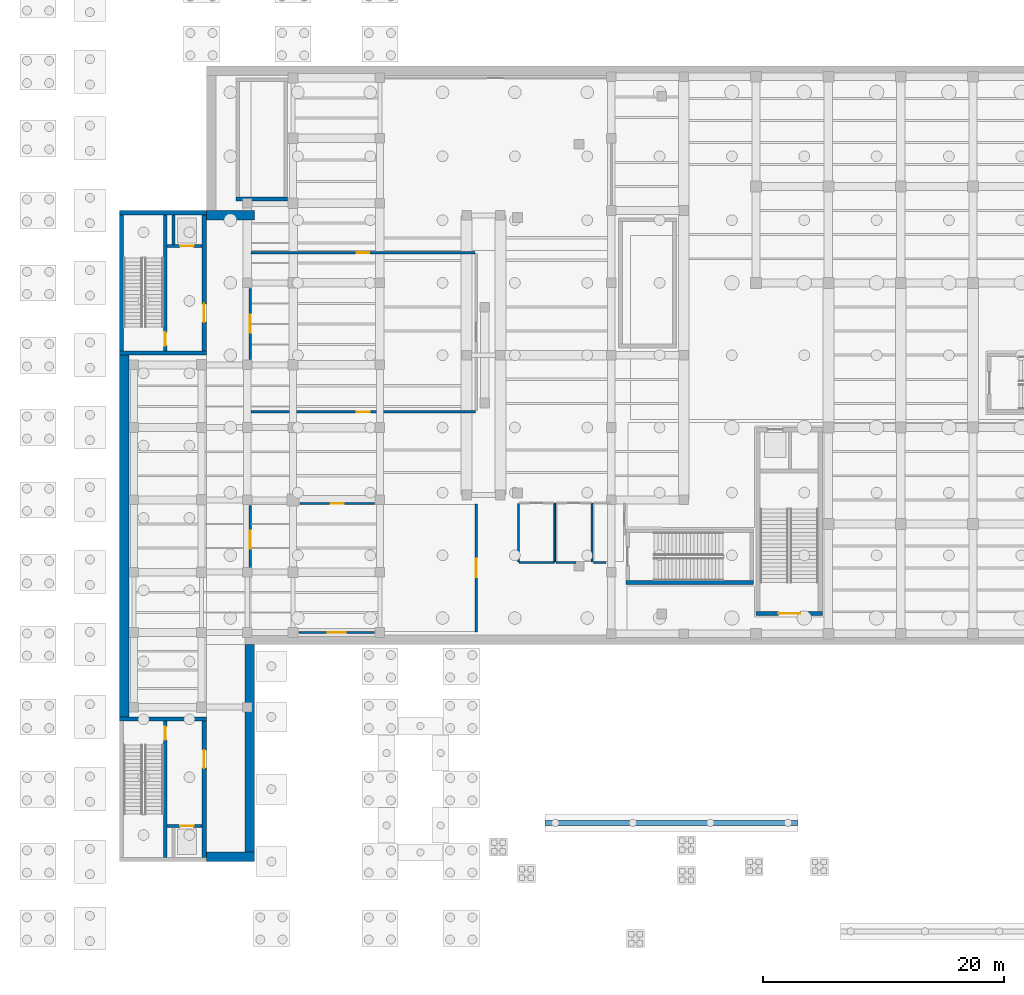
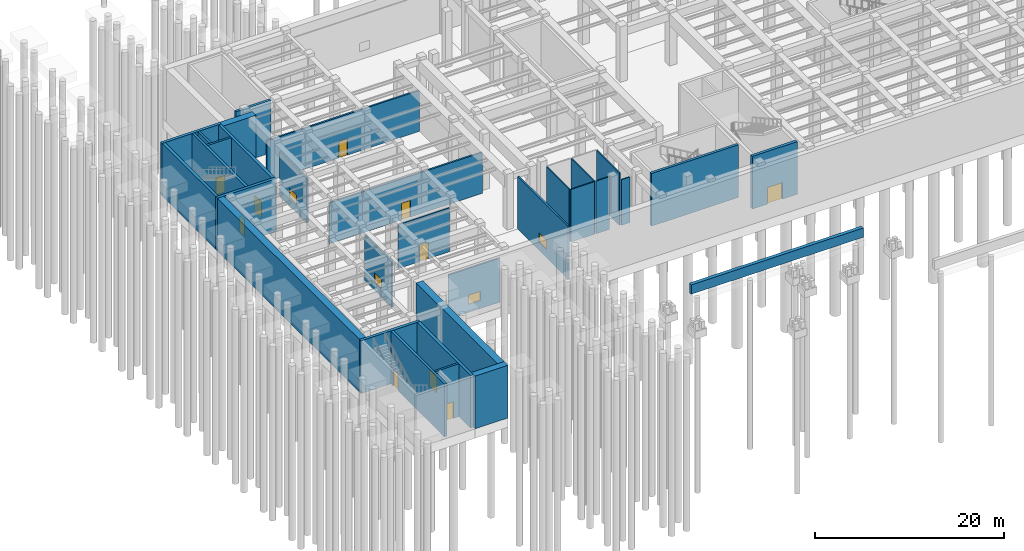
# One storey, part 13 of 30: 32 walls, 10 doors, 4 windows, 14 openings.
"""IFC4 building model written with IfcOpenShell, lengths in metres."""

from ifc_helpers import new_model, si_unit, direction, frame, frame_2d, origin, place, context, subcontext, project, spatial, rectangle, extrude, material, layer, layer_set, type_object, element, fill, save


model = new_model("IFC4")

# Units and contexts
model_context = context("Model", 3, precision=1e-05, world=origin(), true_north=direction((0.0, 1.0)))
body_context = subcontext(model_context, "Body", "Model", "MODEL_VIEW")
ifc_project = project(units=[si_unit("LENGTHUNIT", "METRE"), si_unit("AREAUNIT", "SQUARE_METRE"), si_unit("VOLUMEUNIT", "CUBIC_METRE"), si_unit("PLANEANGLEUNIT", "RADIAN"), si_unit("MASSUNIT", "GRAM", prefix="KILO")], contexts=[model_context])

# Site, building, storey
site_placement = place(None, origin())
site = spatial("IfcSite", under=ifc_project, at=site_placement, CompositionType="ELEMENT")
building_placement = place(site_placement, origin())
building = spatial("IfcBuilding", under=site, at=building_placement, Name="Kolvaren Corner Interchange", CompositionType="ELEMENT")
storey_placement = place(building_placement, frame((0.0, 0.0, -7.199951171875)))
storey = spatial("IfcBuildingStorey", under=building, at=storey_placement, Name="B1", CompositionType="ELEMENT", Elevation=-7.199951171875)

# Wall
ifc_material_1 = material(Name="Concrete C35/45", Category="concrete")
ifc_layer_1 = layer(ifc_material_1, 0.35009765625)
ifc_layer_set_1 = layer_set([ifc_layer_1], Name="Concrete C35/45")
wall_type_1 = type_object("IfcWallType", Name="WL-CORE-350", PredefinedType="SHEAR", material=ifc_layer_set_1)
wall_1_placement = place(storey_placement, frame((7.199951171875, 17.824951171875, 0.0), z_axis=(0.0, 0.0, 1.0), x_axis=(1.0, 0.0, 0.0)))
element("IfcWall", 1, at=wall_1_placement, inside=storey, type_object=wall_type_1, Name="Core C1 B1 North Shear Wall", PredefinedType="SHEAR", context=body_context, shape_type="SweptSolid", body=[
    extrude(rectangle(XDim=7.199951171875, YDim=0.35009765625, at=frame_2d((3.60009765625, 0.0))), origin(), (0.0, 0.0, 1.0), 6.800048828125),
])

# Wall, opening, door
wall_2_placement = place(storey_placement, frame((14.22509765625, 6.35009765625, 0.0), z_axis=(0.0, 0.0, 1.0), x_axis=(0.0, 1.0, 0.0)))
wall_2 = element("IfcWall", 2, at=wall_2_placement, inside=storey, type_object=wall_type_1, Name="Core C1 B1 East Shear Wall", PredefinedType="SHEAR", context=body_context, shape_type="SweptSolid", body=[
    extrude(rectangle(XDim=11.2998046875, YDim=0.35009765625, at=frame_2d((5.64990234375, 0.0))), origin(), (0.0, 0.0, 1.0), 6.800048828125),
])
opening_1_placement = place(wall_2_placement, frame((7.39990234375, 0.0, 0.0)))
opening_1 = element("IfcOpeningElement", 3, at=opening_1_placement, cuts=wall_2, Name="Opening D-F02", PredefinedType="OPENING", context=body_context, shape_type="SweptSolid", body=[
    extrude(rectangle(XDim=1.5, YDim=2.14990234375, at=frame_2d((0.75, 1.074951171875))), frame((0.0, 0.18505859375, 0.0), z_axis=(0.0, -1.0, 0.0), x_axis=(1.0, 0.0, 0.0)), (0.0, 0.0, 1.0), 0.3701171875),
])
ifc_material_2 = material(Name="Powder-coated Fire-rated Steel Sheet", Category="steel")
door_type_1 = type_object("IfcDoorType", Name="DT-FD-1500x2150", OperationType="NOTDEFINED", PredefinedType="DOOR", material=ifc_material_2)
door_1_placement = place(opening_1_placement, origin())
door_1 = element("IfcDoor", 4, at=door_1_placement, inside=storey, type_object=door_type_1, Name="Core C1 B1 Firefighting Lobby Corridor Exit Door", OperationType="DOUBLE_DOOR_SINGLE_SWING", OverallHeight=2.14990234375, OverallWidth=1.5, PredefinedType="DOOR", context=body_context, shape_type="SweptSolid", body=[
    extrude(rectangle(XDim=1.5, YDim=2.14990234375, at=frame_2d((0.75, 1.074951171875))), frame((0.0, 0.02490234375, 0.0), z_axis=(0.0, -1.0, 0.0), x_axis=(1.0, 0.0, 0.0)), (0.0, 0.0, 1.0), 0.050048828125),
])
fill(opening_1, door_1)

# Walls
for number, where, z_axis, x_axis, name in (
    (5, (7.199951171875, 48.175048828125, 0.0), (0.0, 0.0, 1.0), (1.0, 0.0, 0.0), "Core C2 B1 South Shear Wall"),
    (6, (7.199951171875, 59.824951171875, 0.0), (0.0, 0.0, 1.0), (1.0, 0.0, 0.0), "Core C2 B1 North Shear Wall"),
):
    element("IfcWall", number, at=place(storey_placement, frame(where, z_axis=z_axis, x_axis=x_axis)), inside=storey, type_object=wall_type_1, Name=name, PredefinedType="SHEAR", context=body_context, shape_type="SweptSolid", body=[
        extrude(rectangle(XDim=7.199951171875, YDim=0.35009765625, at=frame_2d((3.60009765625, 0.0))), origin(), (0.0, 0.0, 1.0), 6.800048828125),
    ])
wall_3_placement = place(storey_placement, frame((7.375, 48.35009765625, 0.0), z_axis=(0.0, 0.0, 1.0), x_axis=(0.0, 1.0, 0.0)))
element("IfcWall", 7, at=wall_3_placement, inside=storey, type_object=wall_type_1, Name="Core C2 B1 West Shear Wall", PredefinedType="SHEAR", context=body_context, shape_type="SweptSolid", body=[
    extrude(rectangle(XDim=11.2998046875, YDim=0.35009765625, at=frame_2d((5.64990234375, 0.0))), origin(), (0.0, 0.0, 1.0), 6.800048828125),
])

# Wall, opening, door
wall_4_placement = place(storey_placement, frame((14.22509765625, 48.35009765625, 0.0), z_axis=(0.0, 0.0, 1.0), x_axis=(0.0, 1.0, 0.0)))
wall_4 = element("IfcWall", 8, at=wall_4_placement, inside=storey, type_object=wall_type_1, Name="Core C2 B1 East Shear Wall", PredefinedType="SHEAR", context=body_context, shape_type="SweptSolid", body=[
    extrude(rectangle(XDim=11.2998046875, YDim=0.35009765625, at=frame_2d((5.64990234375, 0.0))), origin(), (0.0, 0.0, 1.0), 6.800048828125),
])
opening_2_placement = place(wall_4_placement, frame((2.39990234375, 0.0, 0.0)))
opening_2 = element("IfcOpeningElement", 9, at=opening_2_placement, cuts=wall_4, Name="Opening D-F02", PredefinedType="OPENING", context=body_context, shape_type="SweptSolid", body=[
    extrude(rectangle(XDim=1.5, YDim=2.14990234375, at=frame_2d((0.75, 1.074951171875))), frame((0.0, 0.18505859375, 0.0), z_axis=(0.0, -1.0, 0.0), x_axis=(1.0, 0.0, 0.0)), (0.0, 0.0, 1.0), 0.3701171875),
])
door_2_placement = place(opening_2_placement, origin())
door_2 = element("IfcDoor", 10, at=door_2_placement, inside=storey, type_object=door_type_1, Name="Core C2 B1 Firefighting Lobby Corridor Exit Door", OperationType="DOUBLE_DOOR_SINGLE_SWING", OverallHeight=2.14990234375, OverallWidth=1.5, PredefinedType="DOOR", context=body_context, shape_type="SweptSolid", body=[
    extrude(rectangle(XDim=1.5, YDim=2.14990234375, at=frame_2d((0.75, 1.074951171875))), frame((0.0, 0.02490234375, 0.0), z_axis=(0.0, -1.0, 0.0), x_axis=(1.0, 0.0, 0.0)), (0.0, 0.0, 1.0), 0.050048828125),
])
fill(opening_2, door_2)

wall_5_placement = place(storey_placement, frame((60.0, 26.574951171875, 0.0), z_axis=(0.0, 0.0, 1.0), x_axis=(1.0, 0.0, 0.0)))
wall_5 = element("IfcWall", 11, at=wall_5_placement, inside=storey, type_object=wall_type_1, Name="Core C3 B1 South Shear Wall", PredefinedType="SHEAR", context=body_context, shape_type="SweptSolid", body=[
    extrude(rectangle(XDim=5.5, YDim=0.35009765625, at=frame_2d((2.75, 0.0))), origin(), (0.0, 0.0, 1.0), 6.800048828125),
])
opening_3_placement = place(wall_5_placement, frame((1.85009765625, 0.0, 0.0)))
opening_3 = element("IfcOpeningElement", 12, at=opening_3_placement, cuts=wall_5, Name="Opening D-F01", PredefinedType="OPENING", context=body_context, shape_type="SweptSolid", body=[
    extrude(rectangle(XDim=1.800048828125, YDim=2.14990234375, at=frame_2d((0.89990234375, 1.074951171875))), frame((0.0, 0.18505859375, 0.0), z_axis=(0.0, -1.0, 0.0), x_axis=(1.0, 0.0, 0.0)), (0.0, 0.0, 1.0), 0.3701171875),
])
ifc_material_3 = material(Name="Powder-coated Fire-rated Steel Sheet", Category="steel")
door_type_2 = type_object("IfcDoorType", Name="DT-FD-1800x2150", OperationType="NOTDEFINED", PredefinedType="DOOR", material=ifc_material_3)
door_3_placement = place(opening_3_placement, origin())
door_3 = element("IfcDoor", 13, at=door_3_placement, inside=storey, type_object=door_type_2, Name="Core C3 West Concourse Transfer Stair B1 Protected Exit Door", OperationType="DOUBLE_DOOR_SINGLE_SWING", OverallHeight=2.14990234375, OverallWidth=1.800048828125, PredefinedType="DOOR", context=body_context, shape_type="SweptSolid", body=[
    extrude(rectangle(XDim=1.800048828125, YDim=2.14990234375, at=frame_2d((0.89990234375, 1.074951171875))), frame((0.0, 0.02490234375, 0.0), z_axis=(0.0, -1.0, 0.0), x_axis=(1.0, 0.0, 0.0)), (0.0, 0.0, 1.0), 0.050048828125),
])
fill(opening_3, door_3)

# Walls
ifc_material_4 = material(Name="Concrete C40/50", Category="concrete")
ifc_layer_2 = layer(ifc_material_4, 0.800048828125)
ifc_layer_set_2 = layer_set([ifc_layer_2], Name="Concrete C40/50")
wall_type_2 = type_object("IfcWallType", Name="WL-METRO-800", PredefinedType="SHEAR", material=ifc_layer_set_2)
wall_6_placement = place(storey_placement, frame((7.60009765625, 18.0, 0.0), z_axis=(0.0, 0.0, 1.0), x_axis=(0.0, 1.0, 0.0)))
element("IfcWall", 14, at=wall_6_placement, inside=storey, type_object=wall_type_2, Name="West Transfer Gallery Retaining Wall", PredefinedType="SHEAR", context=body_context, shape_type="SweptSolid", body=[
    extrude(rectangle(XDim=30.0, YDim=0.800048828125, at=frame_2d((15.0, 0.0))), origin(), (0.0, 0.0, 1.0), 6.800048828125),
])
wall_7_placement = place(storey_placement, frame((14.39990234375, 6.39990234375, 0.0), z_axis=(0.0, 0.0, 1.0), x_axis=(1.0, 0.0, 0.0)))
element("IfcWall", 15, at=wall_7_placement, inside=storey, type_object=wall_type_2, Name="West Transfer Gallery South Wall", PredefinedType="SHEAR", context=body_context, shape_type="SweptSolid", body=[
    extrude(rectangle(XDim=4.0, YDim=0.800048828125, at=frame_2d((2.0, 0.0))), origin(), (0.0, 0.0, 1.0), 6.800048828125),
])
wall_8_placement = place(storey_placement, frame((18.0, 6.800048828125, 0.0), z_axis=(0.0, 0.0, 1.0), x_axis=(0.0, 1.0, 0.0)))
element("IfcWall", 16, at=wall_8_placement, inside=storey, type_object=wall_type_2, Name="West Transfer Gallery East Wall", PredefinedType="SHEAR", context=body_context, shape_type="SweptSolid", body=[
    extrude(rectangle(XDim=17.199951171875, YDim=0.800048828125, at=frame_2d((8.60009765625, 0.0))), origin(), (0.0, 0.0, 1.0), 6.800048828125),
])
wall_9_placement = place(storey_placement, frame((14.39990234375, 59.60009765625, 0.0), z_axis=(0.0, 0.0, 1.0), x_axis=(1.0, 0.0, 0.0)))
element("IfcWall", 17, at=wall_9_placement, inside=storey, type_object=wall_type_2, Name="West Transfer Gallery North Wall", PredefinedType="SHEAR", context=body_context, shape_type="SweptSolid", body=[
    extrude(rectangle(XDim=4.0, YDim=0.800048828125, at=frame_2d((2.0, 0.0))), origin(), (0.0, 0.0, 1.0), 6.800048828125),
])
ifc_material_5 = material(Name="Concrete C40/50", Category="concrete")
ifc_layer_3 = layer(ifc_material_5, 0.419921875)
ifc_layer_set_3 = layer_set([ifc_layer_3], Name="Concrete C40/50")
wall_type_3 = type_object("IfcWallType", Name="WL-RET-400", PredefinedType="USERDEFINED", material=ifc_layer_set_3)
wall_10_placement = place(storey_placement, frame((42.5, 9.2099609375, 5.699951171875), z_axis=(0.0, 0.0, 1.0), x_axis=(1.0, 0.0, 0.0)))
element("IfcWall", 18, at=wall_10_placement, inside=storey, type_object=wall_type_3, Name="Southwest Forecourt Ramp Plinth Retaining Wall", ObjectType="RETAINING WALL", PredefinedType="USERDEFINED", context=body_context, shape_type="SweptSolid", body=[
    extrude(rectangle(XDim=21.0, YDim=0.419921875, at=frame_2d((10.5, 0.0))), origin(), (0.0, 0.0, 1.0), 1.2099609375),
])

# Wall, opening, door
ifc_material_6 = material(Name="Concrete C35/45", Category="concrete")
ifc_layer_4 = layer(ifc_material_6, 0.31005859375)
ifc_layer_set_4 = layer_set([ifc_layer_4], Name="Concrete C35/45")
wall_type_4 = type_object("IfcWallType", Name="WL-STAIR-300", PredefinedType="SHEAR", material=ifc_layer_set_4)
wall_11_placement = place(storey_placement, frame((11.0, 6.35009765625, 0.0), z_axis=(0.0, 0.0, 1.0), x_axis=(0.0, 1.0, 0.0)))
wall_11 = element("IfcWall", 19, at=wall_11_placement, inside=storey, type_object=wall_type_4, Name="Core C1 B1 Firefighting Stairwell Divider Wall", PredefinedType="SHEAR", context=body_context, shape_type="SweptSolid", body=[
    extrude(rectangle(XDim=11.2998046875, YDim=0.31005859375, at=frame_2d((5.64990234375, 0.0))), origin(), (0.0, 0.0, 1.0), 6.800048828125),
])
opening_4_placement = place(wall_11_placement, frame((9.75, 0.0, 0.0)))
opening_4 = element("IfcOpeningElement", 20, at=opening_4_placement, cuts=wall_11, Name="Opening D-F03", PredefinedType="OPENING", context=body_context, shape_type="SweptSolid", body=[
    extrude(rectangle(XDim=1.10009765625, YDim=2.14990234375, at=frame_2d((0.550048828125, 1.074951171875))), frame((0.0, 0.1650390625, 0.0), z_axis=(0.0, -1.0, 0.0), x_axis=(1.0, 0.0, 0.0)), (0.0, 0.0, 1.0), 0.330078125),
])
ifc_material_7 = material(Name="Powder-coated Fire-rated Steel Sheet", Category="steel")
door_type_3 = type_object("IfcDoorType", Name="DT-FD-1100x2150", OperationType="NOTDEFINED", PredefinedType="DOOR", material=ifc_material_7)
door_4_placement = place(opening_4_placement, origin())
door_4 = element("IfcDoor", 21, at=door_4_placement, inside=storey, type_object=door_type_3, Name="Core C1 Southwest Firefighting Stair B1 Protected Exit Door", OperationType="SINGLE_SWING_RIGHT", OverallHeight=2.14990234375, OverallWidth=1.10009765625, PredefinedType="DOOR", context=body_context, shape_type="SweptSolid", body=[
    extrude(rectangle(XDim=1.10009765625, YDim=2.14990234375, at=frame_2d((0.550048828125, 1.074951171875))), frame((0.0, 0.02490234375, 0.0), z_axis=(0.0, -1.0, 0.0), x_axis=(1.0, 0.0, 0.0)), (0.0, 0.0, 1.0), 0.050048828125),
])
fill(opening_4, door_4)

wall_12_placement = place(storey_placement, frame((11.0, 48.35009765625, 0.0), z_axis=(0.0, 0.0, 1.0), x_axis=(0.0, 1.0, 0.0)))
wall_12 = element("IfcWall", 22, at=wall_12_placement, inside=storey, type_object=wall_type_4, Name="Core C2 B1 Firefighting Stairwell Divider Wall", PredefinedType="SHEAR", context=body_context, shape_type="SweptSolid", body=[
    extrude(rectangle(XDim=11.2998046875, YDim=0.31005859375, at=frame_2d((5.64990234375, 0.0))), origin(), (0.0, 0.0, 1.0), 6.800048828125),
])
opening_5_placement = place(wall_12_placement, frame((0.449951171875, 0.0, 0.0)))
opening_5 = element("IfcOpeningElement", 23, at=opening_5_placement, cuts=wall_12, Name="Opening D-F03", PredefinedType="OPENING", context=body_context, shape_type="SweptSolid", body=[
    extrude(rectangle(XDim=1.10009765625, YDim=2.14990234375, at=frame_2d((0.550048828125, 1.074951171875))), frame((0.0, 0.1650390625, 0.0), z_axis=(0.0, -1.0, 0.0), x_axis=(1.0, 0.0, 0.0)), (0.0, 0.0, 1.0), 0.330078125),
])
door_5_placement = place(opening_5_placement, origin())
door_5 = element("IfcDoor", 24, at=door_5_placement, inside=storey, type_object=door_type_3, Name="Core C2 Northwest Firefighting Stair B1 Protected Exit Door", OperationType="SINGLE_SWING_RIGHT", OverallHeight=2.14990234375, OverallWidth=1.10009765625, PredefinedType="DOOR", context=body_context, shape_type="SweptSolid", body=[
    extrude(rectangle(XDim=1.10009765625, YDim=2.14990234375, at=frame_2d((0.550048828125, 1.074951171875))), frame((0.0, 0.02490234375, 0.0), z_axis=(0.0, -1.0, 0.0), x_axis=(1.0, 0.0, 0.0)), (0.0, 0.0, 1.0), 0.050048828125),
])
fill(opening_5, door_5)

# Walls
wall_13_placement = place(storey_placement, frame((49.199951171875, 29.155029296875, 0.0), z_axis=(0.0, 0.0, 1.0), x_axis=(1.0, 0.0, 0.0)))
element("IfcWall", 25, at=wall_13_placement, inside=storey, type_object=wall_type_4, Name="Metro West Plant and Gateline Exit Stair B1 South Enclosure Wall", PredefinedType="SHEAR", context=body_context, shape_type="SweptSolid", body=[
    extrude(rectangle(XDim=10.60009765625, YDim=0.31005859375, at=frame_2d((5.300048828125, 0.0))), origin(), (0.0, 0.0, 1.0), 6.800048828125),
])
wall_14_placement = place(storey_placement, frame((16.85009765625, 60.955078125, 0.0), z_axis=(0.0, 0.0, 1.0), x_axis=(1.0, 0.0, 0.0)))
element("IfcWall", 26, at=wall_14_placement, inside=storey, type_object=wall_type_4, Name="Operations North Wing Protected Exit Stair B1 Foundation Shaft South Wall", PredefinedType="SHEAR", context=body_context, shape_type="SweptSolid", body=[
    extrude(rectangle(XDim=4.2998046875, YDim=0.31005859375, at=frame_2d((2.14990234375, 0.0))), origin(), (0.0, 0.0, 1.0), 6.800048828125),
])

# Wall, opening, window
ifc_material_8 = material(Name="Fire-Rated Gypsum Block Partition")
ifc_layer_5 = layer(ifc_material_8, 0.199951171875)
ifc_layer_set_5 = layer_set([ifc_layer_5], Name="Fire-Rated Gypsum Block Partition")
wall_type_5 = type_object("IfcWallType", Name="WT-PART-FR200", PredefinedType="PARTITIONING", material=ifc_layer_set_5)
wall_15_placement = place(storey_placement, frame((22.0849609375, 25.0, 0.0), z_axis=(0.0, 0.0, 1.0), x_axis=(1.0, 0.0, 0.0)))
wall_15 = element("IfcWall", 27, at=wall_15_placement, inside=storey, type_object=wall_type_5, Name="B1 Traction Substation Partition Wall 001", PredefinedType="PARTITIONING", context=body_context, shape_type="SweptSolid", body=[
    extrude(rectangle(XDim=6.277587890625, YDim=0.199951171875, at=frame_2d((3.138671875, 0.0))), origin(), (0.0, 0.0, 1.0), 5.68505859375),
])
opening_6_placement = place(wall_15_placement, frame((2.388671875, 0.0, 1.050048828125)))
opening_6 = element("IfcOpeningElement", 28, at=opening_6_placement, cuts=wall_15, Name="Opening W-I02", PredefinedType="OPENING", context=body_context, shape_type="SweptSolid", body=[
    extrude(rectangle(XDim=1.5, YDim=1.199951171875, at=frame_2d((0.75, 0.60009765625))), frame((0.0, 0.10986328125, 0.0), z_axis=(0.0, -1.0, 0.0), x_axis=(1.0, 0.0, 0.0)), (0.0, 0.0, 1.0), 0.219970703125),
])
ifc_material_9 = material(Name="Fire-Rated Interior Observation Window")
window_type = type_object("IfcWindowType", Name="WT-INT-1500x1200", PartitioningType="SINGLE_PANEL", PredefinedType="WINDOW", material=ifc_material_9)
window_1_placement = place(opening_6_placement, origin())
window_1 = element("IfcWindow", 29, at=window_1_placement, inside=storey, type_object=window_type, Name="B1 Interior Vision Glazing 01", OverallHeight=1.199951171875, OverallWidth=1.5, PartitioningType="SINGLE_PANEL", PredefinedType="WINDOW", context=body_context, shape_type="SweptSolid", body=[
    extrude(rectangle(XDim=1.5, YDim=1.199951171875, at=frame_2d((0.75, 0.60009765625))), frame((0.0, 0.030029296875, 0.0), z_axis=(0.0, -1.0, 0.0), x_axis=(1.0, 0.0, 0.0)), (0.0, 0.0, 1.0), 0.06005859375),
])
fill(opening_6, window_1)

wall_16_placement = place(storey_placement, frame((36.800048828125, 25.050048828125, 0.0), z_axis=(0.0, 0.0, 1.0), x_axis=(0.0, 1.0, 0.0)))
wall_16 = element("IfcWall", 30, at=wall_16_placement, inside=storey, type_object=wall_type_5, Name="B1 Traction Substation Partition Wall 002", PredefinedType="PARTITIONING", context=body_context, shape_type="SweptSolid", body=[
    extrude(rectangle(XDim=10.599853515625, YDim=0.199951171875, at=frame_2d((5.2998046875, 0.0))), origin(), (0.0, 0.0, 1.0), 6.780029296875),
])
opening_7_placement = place(wall_16_placement, frame((4.550048828125, 0.0, 1.050048828125)))
opening_7 = element("IfcOpeningElement", 31, at=opening_7_placement, cuts=wall_16, Name="Opening W-I02", PredefinedType="OPENING", context=body_context, shape_type="SweptSolid", body=[
    extrude(rectangle(XDim=1.5, YDim=1.199951171875, at=frame_2d((0.75, 0.60009765625))), frame((0.0, 0.10986328125, 0.0), z_axis=(0.0, -1.0, 0.0), x_axis=(1.0, 0.0, 0.0)), (0.0, 0.0, 1.0), 0.219970703125),
])
window_2_placement = place(opening_7_placement, origin())
window_2 = element("IfcWindow", 32, at=window_2_placement, inside=storey, type_object=window_type, Name="B1 Interior Vision Glazing 02", OverallHeight=1.199951171875, OverallWidth=1.5, PartitioningType="SINGLE_PANEL", PredefinedType="WINDOW", context=body_context, shape_type="SweptSolid", body=[
    extrude(rectangle(XDim=1.5, YDim=1.199951171875, at=frame_2d((0.75, 0.60009765625))), frame((0.0, 0.030029296875, 0.0), z_axis=(0.0, -1.0, 0.0), x_axis=(1.0, 0.0, 0.0)), (0.0, 0.0, 1.0), 0.06005859375),
])
fill(opening_7, window_2)

# Wall, opening, door
wall_17_placement = place(storey_placement, frame((28.362548828125, 35.699951171875, 0.0), z_axis=(0.0, 0.0, 1.0), x_axis=(-1.0, 0.0, 0.0)))
wall_17 = element("IfcWall", 33, at=wall_17_placement, inside=storey, type_object=wall_type_5, Name="B1 Traction Substation Partition Wall 003", PredefinedType="PARTITIONING", context=body_context, shape_type="SweptSolid", body=[
    extrude(rectangle(XDim=6.20263671875, YDim=0.199951171875, at=frame_2d((3.101318359375, 0.0))), origin(), (0.0, 0.0, 1.0), 5.68505859375),
])
opening_8_placement = place(wall_17_placement, frame((2.55126953125, 0.0, 0.0)))
opening_8 = element("IfcOpeningElement", 34, at=opening_8_placement, cuts=wall_17, Name="Opening D-F03", PredefinedType="OPENING", context=body_context, shape_type="SweptSolid", body=[
    extrude(rectangle(XDim=1.10009765625, YDim=2.14990234375, at=frame_2d((0.550048828125, 1.074951171875))), frame((0.0, 0.10986328125, 0.0), z_axis=(0.0, -1.0, 0.0), x_axis=(1.0, 0.0, 0.0)), (0.0, 0.0, 1.0), 0.219970703125),
])
door_6_placement = place(opening_8_placement, origin())
door_6 = element("IfcDoor", 35, at=door_6_placement, inside=storey, type_object=door_type_3, Name="B1 Traction Substation Door", OperationType="SINGLE_SWING_RIGHT", OverallHeight=2.14990234375, OverallWidth=1.10009765625, PredefinedType="DOOR", context=body_context, shape_type="SweptSolid", body=[
    extrude(rectangle(XDim=1.10009765625, YDim=2.14990234375, at=frame_2d((0.550048828125, 1.074951171875))), frame((0.0, 0.02490234375, 0.0), z_axis=(0.0, -1.0, 0.0), x_axis=(1.0, 0.0, 0.0)), (0.0, 0.0, 1.0), 0.050048828125),
])
fill(opening_8, door_6)

# Wall, opening, window
wall_18_placement = place(storey_placement, frame((18.050048828125, 35.5400390625, 0.0), z_axis=(0.0, 0.0, 1.0), x_axis=(0.0, -1.0, 0.0)))
wall_18 = element("IfcWall", 36, at=wall_18_placement, inside=storey, type_object=wall_type_5, Name="B1 Traction Substation Partition Wall 004", PredefinedType="PARTITIONING", context=body_context, shape_type="SweptSolid", body=[
    extrude(rectangle(XDim=5.72509765625, YDim=0.199951171875, at=frame_2d((2.862548828125, 0.0))), origin(), (0.0, 0.0, 1.0), 5.885009765625),
])
opening_9_placement = place(wall_18_placement, frame((2.112548828125, 0.0, 1.050048828125)))
opening_9 = element("IfcOpeningElement", 37, at=opening_9_placement, cuts=wall_18, Name="Opening W-I02", PredefinedType="OPENING", context=body_context, shape_type="SweptSolid", body=[
    extrude(rectangle(XDim=1.5, YDim=1.199951171875, at=frame_2d((0.75, 0.60009765625))), frame((0.0, 0.10986328125, 0.0), z_axis=(0.0, -1.0, 0.0), x_axis=(1.0, 0.0, 0.0)), (0.0, 0.0, 1.0), 0.219970703125),
])
window_3_placement = place(opening_9_placement, origin())
window_3 = element("IfcWindow", 38, at=window_3_placement, inside=storey, type_object=window_type, Name="B1 Interior Vision Glazing 03", OverallHeight=1.199951171875, OverallWidth=1.5, PartitioningType="SINGLE_PANEL", PredefinedType="WINDOW", context=body_context, shape_type="SweptSolid", body=[
    extrude(rectangle(XDim=1.5, YDim=1.199951171875, at=frame_2d((0.75, 0.60009765625))), frame((0.0, 0.030029296875, 0.0), z_axis=(0.0, -1.0, 0.0), x_axis=(1.0, 0.0, 0.0)), (0.0, 0.0, 1.0), 0.06005859375),
])
fill(opening_9, window_3)

# Wall, opening, door
wall_19_placement = place(storey_placement, frame((18.10009765625, 43.300048828125, 0.0), z_axis=(0.0, 0.0, 1.0), x_axis=(1.0, 0.0, 0.0)))
wall_19 = element("IfcWall", 39, at=wall_19_placement, inside=storey, type_object=wall_type_5, Name="B1 UPS and Battery Room Partition Wall 005", PredefinedType="PARTITIONING", context=body_context, shape_type="SweptSolid", body=[
    extrude(rectangle(XDim=18.64990234375, YDim=0.199951171875, at=frame_2d((9.324951171875, 0.0))), origin(), (0.0, 0.0, 1.0), 5.284912109375),
])
opening_10_placement = place(wall_19_placement, frame((8.77490234375, 0.0, 0.0)))
opening_10 = element("IfcOpeningElement", 40, at=opening_10_placement, cuts=wall_19, Name="Opening D-F03", PredefinedType="OPENING", context=body_context, shape_type="SweptSolid", body=[
    extrude(rectangle(XDim=1.10009765625, YDim=2.14990234375, at=frame_2d((0.550048828125, 1.074951171875))), frame((0.0, 0.10986328125, 0.0), z_axis=(0.0, -1.0, 0.0), x_axis=(1.0, 0.0, 0.0)), (0.0, 0.0, 1.0), 0.219970703125),
])
door_7_placement = place(opening_10_placement, origin())
door_7 = element("IfcDoor", 41, at=door_7_placement, inside=storey, type_object=door_type_3, Name="B1 UPS and Battery Room Door", OperationType="SINGLE_SWING_LEFT", OverallHeight=2.14990234375, OverallWidth=1.10009765625, PredefinedType="DOOR", context=body_context, shape_type="SweptSolid", body=[
    extrude(rectangle(XDim=1.10009765625, YDim=2.14990234375, at=frame_2d((0.550048828125, 1.074951171875))), frame((0.0, 0.02490234375, 0.0), z_axis=(0.0, -1.0, 0.0), x_axis=(1.0, 0.0, 0.0)), (0.0, 0.0, 1.0), 0.050048828125),
])
fill(opening_10, door_7)

wall_20_placement = place(storey_placement, frame((36.697998046875, 56.5, 0.0), z_axis=(0.0, 0.0, 1.0), x_axis=(-1.0, 0.0, 0.0)))
wall_20 = element("IfcWall", 42, at=wall_20_placement, inside=storey, type_object=wall_type_5, Name="B1 UPS and Battery Room Partition Wall 007", PredefinedType="PARTITIONING", context=body_context, shape_type="SweptSolid", body=[
    extrude(rectangle(XDim=18.597900390625, YDim=0.199951171875, at=frame_2d((9.298828125, 0.0))), origin(), (0.0, 0.0, 1.0), 5.284912109375),
])
opening_11_placement = place(wall_20_placement, frame((8.799072265625, 0.0, 0.0)))
opening_11 = element("IfcOpeningElement", 43, at=opening_11_placement, cuts=wall_20, Name="Opening D-F04", PredefinedType="OPENING", context=body_context, shape_type="SweptSolid", body=[
    extrude(rectangle(XDim=1.0, YDim=2.14990234375, at=frame_2d((0.5, 1.074951171875))), frame((0.0, 0.10986328125, 0.0), z_axis=(0.0, -1.0, 0.0), x_axis=(1.0, 0.0, 0.0)), (0.0, 0.0, 1.0), 0.219970703125),
])
ifc_material_10 = material(Name="Solid-Core Iroko Timber Fire Door", Category="wood")
door_type_4 = type_object("IfcDoorType", Name="DT-FD-1000x2150", OperationType="NOTDEFINED", PredefinedType="DOOR", material=ifc_material_10)
door_8_placement = place(opening_11_placement, origin())
door_8 = element("IfcDoor", 44, at=door_8_placement, inside=storey, type_object=door_type_4, Name="B1 Signalling Equipment Room Door", OperationType="SINGLE_SWING_LEFT", OverallHeight=2.14990234375, OverallWidth=1.0, PredefinedType="DOOR", context=body_context, shape_type="SweptSolid", body=[
    extrude(rectangle(XDim=1.0, YDim=2.14990234375, at=frame_2d((0.5, 1.074951171875))), frame((0.0, 0.02490234375, 0.0), z_axis=(0.0, -1.0, 0.0), x_axis=(1.0, 0.0, 0.0)), (0.0, 0.0, 1.0), 0.050048828125),
])
fill(opening_11, door_8)

# Wall, opening, window
wall_21_placement = place(storey_placement, frame((18.050048828125, 53.5400390625, 0.0), z_axis=(0.0, 0.0, 1.0), x_axis=(0.0, -1.0, 0.0)))
wall_21 = element("IfcWall", 45, at=wall_21_placement, inside=storey, type_object=wall_type_5, Name="B1 UPS and Battery Room Partition Wall 008", PredefinedType="PARTITIONING", context=body_context, shape_type="SweptSolid", body=[
    extrude(rectangle(XDim=5.880126953125, YDim=0.199951171875, at=frame_2d((2.93994140625, 0.0))), origin(), (0.0, 0.0, 1.0), 5.68505859375),
])
opening_12_placement = place(wall_21_placement, frame((2.18994140625, 0.0, 1.050048828125)))
opening_12 = element("IfcOpeningElement", 46, at=opening_12_placement, cuts=wall_21, Name="Opening W-I02", PredefinedType="OPENING", context=body_context, shape_type="SweptSolid", body=[
    extrude(rectangle(XDim=1.5, YDim=1.199951171875, at=frame_2d((0.75, 0.60009765625))), frame((0.0, 0.10986328125, 0.0), z_axis=(0.0, -1.0, 0.0), x_axis=(1.0, 0.0, 0.0)), (0.0, 0.0, 1.0), 0.219970703125),
])
window_4_placement = place(opening_12_placement, origin())
window_4 = element("IfcWindow", 47, at=window_4_placement, inside=storey, type_object=window_type, Name="B1 Interior Vision Glazing 05", OverallHeight=1.199951171875, OverallWidth=1.5, PartitioningType="SINGLE_PANEL", PredefinedType="WINDOW", context=body_context, shape_type="SweptSolid", body=[
    extrude(rectangle(XDim=1.5, YDim=1.199951171875, at=frame_2d((0.75, 0.60009765625))), frame((0.0, 0.030029296875, 0.0), z_axis=(0.0, -1.0, 0.0), x_axis=(1.0, 0.0, 0.0)), (0.0, 0.0, 1.0), 0.06005859375),
])
fill(opening_12, window_4)

# Walls
ifc_material_11 = material(Name="Moisture-Resistant Ceramic Tile Partition")
ifc_layer_6 = layer(ifc_material_11, 0.139892578125)
ifc_layer_set_6 = layer_set([ifc_layer_6], Name="Moisture-Resistant Ceramic Tile Partition")
wall_type_6 = type_object("IfcWallType", Name="WT-PART-WC140", PredefinedType="PARTITIONING", material=ifc_layer_set_6)
wall_22_placement = place(storey_placement, frame((40.35009765625, 30.800048828125, 0.0), z_axis=(0.0, 0.0, 1.0), x_axis=(1.0, 0.0, 0.0)))
element("IfcWall", 48, at=wall_22_placement, inside=storey, type_object=wall_type_6, Name="B1 Male WC Partition Wall 018", PredefinedType="PARTITIONING", context=body_context, shape_type="SweptSolid", body=[
    extrude(rectangle(XDim=2.89990234375, YDim=0.139892578125, at=frame_2d((1.449951171875, 0.0))), origin(), (0.0, 0.0, 1.0), 6.780029296875),
])
wall_23_placement = place(storey_placement, frame((43.300048828125, 30.8720703125, 0.0), z_axis=(0.0, 0.0, 1.0), x_axis=(0.0, 1.0, 0.0)))
element("IfcWall", 49, at=wall_23_placement, inside=storey, type_object=wall_type_6, Name="B1 Male WC Partition Wall 019", PredefinedType="PARTITIONING", context=body_context, shape_type="SweptSolid", body=[
    extrude(rectangle(XDim=4.827880859375, YDim=0.139892578125, at=frame_2d((2.4140625, 0.0))), origin(), (0.0, 0.0, 1.0), 6.780029296875),
])
wall_24_placement = place(storey_placement, frame((40.300048828125, 35.677978515625, 0.0), z_axis=(0.0, 0.0, 1.0), x_axis=(0.0, -1.0, 0.0)))
element("IfcWall", 50, at=wall_24_placement, inside=storey, type_object=wall_type_6, Name="B1 Male WC Partition Wall 021", PredefinedType="PARTITIONING", context=body_context, shape_type="SweptSolid", body=[
    extrude(rectangle(XDim=4.805908203125, YDim=0.139892578125, at=frame_2d((2.40283203125, 0.0))), origin(), (0.0, 0.0, 1.0), 6.780029296875),
])
wall_25_placement = place(storey_placement, frame((43.449951171875, 30.800048828125, 0.0), z_axis=(0.0, 0.0, 1.0), x_axis=(1.0, 0.0, 0.0)))
element("IfcWall", 51, at=wall_25_placement, inside=storey, type_object=wall_type_6, Name="B1 Female WC Partition Wall 022", PredefinedType="PARTITIONING", context=body_context, shape_type="SweptSolid", body=[
    extrude(rectangle(XDim=1.60009765625, YDim=0.139892578125, at=frame_2d((0.800048828125, 0.0))), origin(), (0.0, 0.0, 1.0), 6.780029296875),
])
wall_26_placement = place(storey_placement, frame((46.39990234375, 30.85009765625, 0.0), z_axis=(0.0, 0.0, 1.0), x_axis=(0.0, 1.0, 0.0)))
element("IfcWall", 52, at=wall_26_placement, inside=storey, type_object=wall_type_6, Name="B1 Female WC Partition Wall 023", PredefinedType="PARTITIONING", context=body_context, shape_type="SweptSolid", body=[
    extrude(rectangle(XDim=4.849853515625, YDim=0.139892578125, at=frame_2d((2.4248046875, 0.0))), origin(), (0.0, 0.0, 1.0), 6.780029296875),
])
wall_27_placement = place(storey_placement, frame((46.550048828125, 30.800048828125, 0.0), z_axis=(0.0, 0.0, 1.0), x_axis=(1.0, 0.0, 0.0)))
element("IfcWall", 53, at=wall_27_placement, inside=storey, type_object=wall_type_6, Name="B1 Accessible WC Partition Wall 025", PredefinedType="PARTITIONING", context=body_context, shape_type="SweptSolid", body=[
    extrude(rectangle(XDim=1.0048828125, YDim=0.139892578125, at=frame_2d((0.50244140625, 0.0))), origin(), (0.0, 0.0, 1.0), 5.885009765625),
])

# Wall, opening, door
ifc_material_12 = material(Name="Concrete C35/45", Category="concrete")
ifc_layer_7 = layer(ifc_material_12, 0.25)
ifc_layer_set_7 = layer_set([ifc_layer_7], Name="Concrete C35/45")
wall_type_7 = type_object("IfcWallType", Name="WT-SHAFT-RC250", PredefinedType="SHEAR", material=ifc_layer_set_7)
wall_28_placement = place(storey_placement, frame((11.155029296875, 8.949951171875, 0.0), z_axis=(0.0, 0.0, 1.0), x_axis=(1.0, 0.0, 0.0)))
wall_28 = element("IfcWall", 54, at=wall_28_placement, inside=storey, type_object=wall_type_7, Name="Core C1 B1 Firefighting Lift Front Shaft Wall", PredefinedType="SHEAR", context=body_context, shape_type="SweptSolid", body=[
    extrude(rectangle(XDim=2.89501953125, YDim=0.25, at=frame_2d((1.447509765625, 0.0))), origin(), (0.0, 0.0, 1.0), 6.800048828125),
])
opening_13_placement = place(wall_28_placement, frame((1.0849609375, 0.0, 0.0)))
opening_13 = element("IfcOpeningElement", 55, at=opening_13_placement, cuts=wall_28, Name="Opening LD-LF-FF1-B1", PredefinedType="OPENING", context=body_context, shape_type="SweptSolid", body=[
    extrude(rectangle(XDim=1.1201171875, YDim=2.14990234375, at=frame_2d((0.56005859375, 1.074951171875))), frame((0.0, 0.135009765625, 0.0), z_axis=(0.0, -1.0, 0.0), x_axis=(1.0, 0.0, 0.0)), (0.0, 0.0, 1.0), 0.27001953125),
])
ifc_material_13 = material(Name="Brushed Stainless Steel Landing Door", Category="steel")
door_type_5 = type_object("IfcDoorType", Name="DT-LIFT-1120", OperationType="NOTDEFINED", PredefinedType="DOOR", material=ifc_material_13)
door_9_placement = place(opening_13_placement, origin())
door_9 = element("IfcDoor", 56, at=door_9_placement, inside=storey, type_object=door_type_5, Name="Firefighting Lift LF-FF1 B1 Sliding Landing Door", OperationType="SLIDING_TO_LEFT", OverallHeight=2.14990234375, OverallWidth=1.1201171875, PredefinedType="DOOR", context=body_context, shape_type="SweptSolid", body=[
    extrude(rectangle(XDim=1.1201171875, YDim=2.14990234375, at=frame_2d((0.56005859375, 1.074951171875))), frame((0.0, 0.02490234375, 0.0), z_axis=(0.0, -1.0, 0.0), x_axis=(1.0, 0.0, 0.0)), (0.0, 0.0, 1.0), 0.050048828125),
])
fill(opening_13, door_9)

wall_29_placement = place(storey_placement, frame((11.155029296875, 57.050048828125, 0.0), z_axis=(0.0, 0.0, 1.0), x_axis=(1.0, 0.0, 0.0)))
wall_29 = element("IfcWall", 57, at=wall_29_placement, inside=storey, type_object=wall_type_7, Name="Core C2 B1 Firefighting Lift Front Shaft Wall", PredefinedType="SHEAR", context=body_context, shape_type="SweptSolid", body=[
    extrude(rectangle(XDim=2.89501953125, YDim=0.25, at=frame_2d((1.447509765625, 0.0))), origin(), (0.0, 0.0, 1.0), 6.800048828125),
])
opening_14_placement = place(wall_29_placement, frame((1.0849609375, 0.0, 0.0)))
opening_14 = element("IfcOpeningElement", 58, at=opening_14_placement, cuts=wall_29, Name="Opening LD-LF-FF2-B1", PredefinedType="OPENING", context=body_context, shape_type="SweptSolid", body=[
    extrude(rectangle(XDim=1.1201171875, YDim=2.14990234375, at=frame_2d((0.56005859375, 1.074951171875))), frame((0.0, 0.135009765625, 0.0), z_axis=(0.0, -1.0, 0.0), x_axis=(1.0, 0.0, 0.0)), (0.0, 0.0, 1.0), 0.27001953125),
])
door_10_placement = place(opening_14_placement, origin())
door_10 = element("IfcDoor", 59, at=door_10_placement, inside=storey, type_object=door_type_5, Name="Firefighting Lift LF-FF2 B1 Sliding Landing Door", OperationType="SLIDING_TO_LEFT", OverallHeight=2.14990234375, OverallWidth=1.1201171875, PredefinedType="DOOR", context=body_context, shape_type="SweptSolid", body=[
    extrude(rectangle(XDim=1.1201171875, YDim=2.14990234375, at=frame_2d((0.56005859375, 1.074951171875))), frame((0.0, 0.02490234375, 0.0), z_axis=(0.0, -1.0, 0.0), x_axis=(1.0, 0.0, 0.0)), (0.0, 0.0, 1.0), 0.050048828125),
])
fill(opening_14, door_10)

# Wall
wall_30_placement = place(storey_placement, frame((11.675048828125, 57.175048828125, 0.0), z_axis=(0.0, 0.0, 1.0), x_axis=(0.0, 1.0, 0.0)))
element("IfcWall", 60, at=wall_30_placement, inside=storey, type_object=wall_type_7, Name="Core C2 B1 Firefighting Lift Side Shaft Wall", PredefinedType="SHEAR", context=body_context, shape_type="SweptSolid", body=[
    extrude(rectangle(XDim=2.474853515625, YDim=0.25, at=frame_2d((1.2373046875, 0.0))), origin(), (0.0, 0.0, 1.0), 6.800048828125),
])

save(model, "model.ifc")
